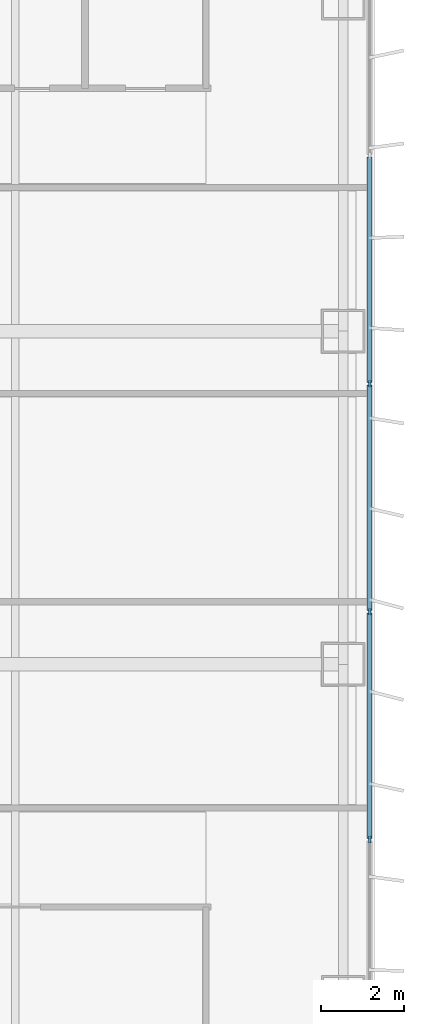
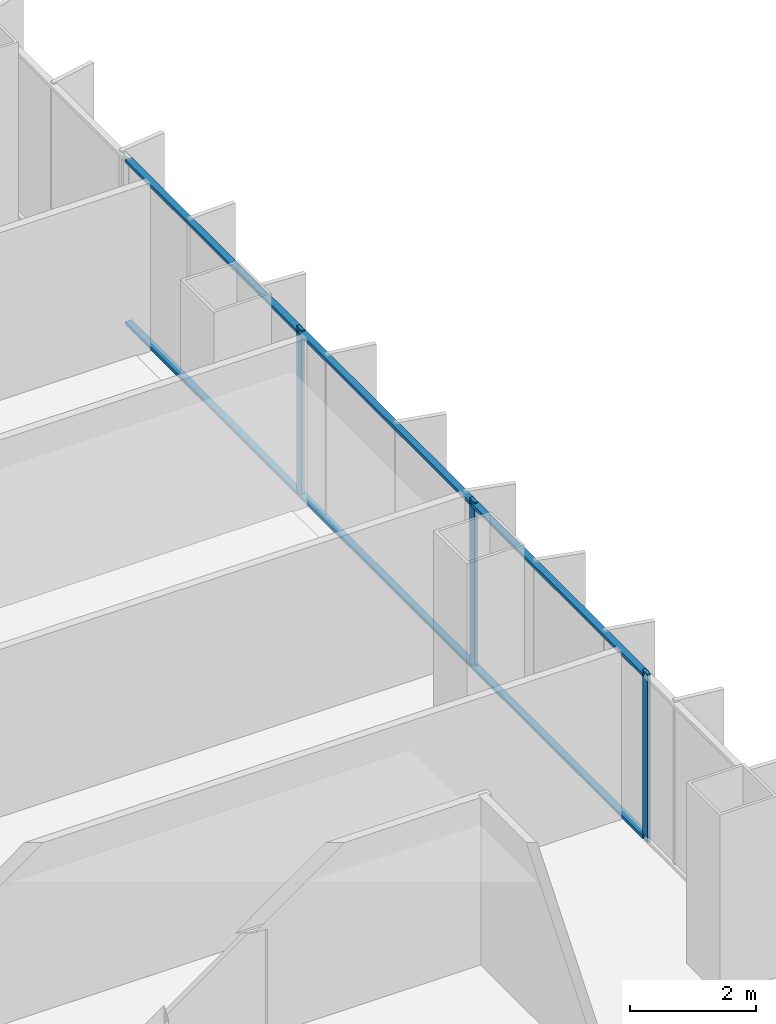
# One storey, part 8 of 21: 9 members, 1 element without a shape of its own.
"""IFC4 building model written with IfcOpenShell, lengths in metres."""

from ifc_helpers import new_model, si_unit, direction, frame, origin, origin_2d, place, context, subcontext, project, spatial, rectangle, extrude, material, layer, layer_set, material_profile, profile_set, type_object, element, aggregate, save


model = new_model("IFC4")

# Units and contexts
model_context = context("Model", 3, precision=1e-05, world=origin(), true_north=direction((0.0, 1.0)))
body_context = subcontext(model_context, "Body", "Model", "MODEL_VIEW")
ifc_project = project(units=[si_unit("LENGTHUNIT", "METRE"), si_unit("AREAUNIT", "SQUARE_METRE"), si_unit("VOLUMEUNIT", "CUBIC_METRE"), si_unit("PLANEANGLEUNIT", "RADIAN"), si_unit("MASSUNIT", "GRAM", prefix="KILO")], contexts=[model_context])

# Site, building, storey
site_placement = place(None, origin())
site = spatial("IfcSite", under=ifc_project, at=site_placement, CompositionType="ELEMENT")
building_placement = place(site_placement, origin())
building = spatial("IfcBuilding", under=site, at=building_placement, Name="Trevonay Congress Spire", CompositionType="ELEMENT")
storey_placement = place(building_placement, frame((0.0, 0.0, 37.5)))
storey = spatial("IfcBuildingStorey", under=building, at=storey_placement, Name="L08", CompositionType="ELEMENT", Elevation=37.5)

# Curtain wall, members
ifc_material = material(Name="Pale Anodised Aluminium EN AW-6063-T6", Category="aluminium")
ifc_layer = layer(ifc_material, 0.179931640625, Name="Pale Anodised Aluminium EN AW-6063-T6")
ifc_layer_set = layer_set([ifc_layer], Name="Pale Anodised Aluminium EN AW-6063-T6")
curtain_wall_type = type_object("IfcCurtainWallType", Name="CW-SYS02-HOTEL-PALE-METAL", PredefinedType="NOTDEFINED", material=ifc_layer_set)
curtain_wall_placement = place(storey_placement, origin())
curtain_wall = element("IfcCurtainWall", 1, at=curtain_wall_placement, inside=storey, type_object=curtain_wall_type, Name="L08 E unitised curtain wall", PredefinedType="NOTDEFINED")
ifc_material_profile_1 = material_profile(ifc_material, rectangle(XDim=0.06005859375, YDim=0.159912109375, at=origin_2d()), Name="CW-MULLION-160-ALUMINIUM")
ifc_profile_set_1 = profile_set([ifc_material_profile_1], Name="Pale Anodised Aluminium EN AW-6063-T6")
member_type_1 = type_object("IfcMemberType", Name="CW-MULLION-160-ALUMINIUM", PredefinedType="MULLION", material=ifc_profile_set_1)
member_1_placement = place(storey_placement, frame((23.8798828125, -8.20703125, 0.0), z_axis=(0.0, 0.0, 1.0), x_axis=(-1.0, 0.0, 0.0)))
member_1 = element("IfcMember", 2, at=member_1_placement, type_object=member_type_1, Name="CW02 mullion 3", PredefinedType="MULLION", context=body_context, shape_type="SweptSolid", body=[
    extrude(rectangle(XDim=0.06005859375, YDim=0.159912109375, at=origin_2d()), origin(), (0.0, 0.0, 1.0), 3.25),
])
member_2_placement = place(storey_placement, frame((23.8798828125, -2.735595703125, 0.0), z_axis=(0.0, 0.0, 1.0), x_axis=(-1.0, 0.0, 0.0)))
member_2 = element("IfcMember", 3, at=member_2_placement, type_object=member_type_1, Name="CW02 mullion 4", PredefinedType="MULLION", context=body_context, shape_type="SweptSolid", body=[
    extrude(rectangle(XDim=0.06005859375, YDim=0.159912109375, at=origin_2d()), origin(), (0.0, 0.0, 1.0), 3.25),
])
member_3_placement = place(storey_placement, frame((23.8798828125, 2.735595703125, 0.0), z_axis=(0.0, 0.0, 1.0), x_axis=(-1.0, 0.0, 0.0)))
member_3 = element("IfcMember", 4, at=member_3_placement, type_object=member_type_1, Name="CW02 mullion 5", PredefinedType="MULLION", context=body_context, shape_type="SweptSolid", body=[
    extrude(rectangle(XDim=0.06005859375, YDim=0.159912109375, at=origin_2d()), origin(), (0.0, 0.0, 1.0), 3.25),
])
ifc_material_profile_2 = material_profile(ifc_material, rectangle(XDim=0.1201171875, YDim=0.06005859375, at=origin_2d()), Name="CW-TRANSOM-120-ALUMINIUM")
ifc_profile_set_2 = profile_set([ifc_material_profile_2], Name="Pale Anodised Aluminium EN AW-6063-T6")
member_type_2 = type_object("IfcMemberType", Name="CW-TRANSOM-120-ALUMINIUM", PredefinedType="USERDEFINED", material=ifc_profile_set_2)
member_4_placement = place(storey_placement, frame((23.8798828125, -8.17724609375, 0.06005859375), z_axis=(0.0, 1.0, 0.0), x_axis=(-1.0, 0.0, 0.0)))
member_4 = element("IfcMember", 5, at=member_4_placement, type_object=member_type_2, Name="CW02 transom 3.1", ObjectType="TRANSOM", PredefinedType="USERDEFINED", context=body_context, shape_type="SweptSolid", body=[
    extrude(rectangle(XDim=0.1201171875, YDim=0.06005859375, at=origin_2d()), origin(), (0.0, 0.0, 1.0), 5.41162109375),
])
member_5_placement = place(storey_placement, frame((23.8798828125, -8.17724609375, 3.18994140625), z_axis=(0.0, 1.0, 0.0), x_axis=(-1.0, 0.0, 0.0)))
member_5 = element("IfcMember", 6, at=member_5_placement, type_object=member_type_2, Name="CW02 transom 3.2", ObjectType="TRANSOM", PredefinedType="USERDEFINED", context=body_context, shape_type="SweptSolid", body=[
    extrude(rectangle(XDim=0.1201171875, YDim=0.06005859375, at=origin_2d()), origin(), (0.0, 0.0, 1.0), 5.41162109375),
])
member_6_placement = place(storey_placement, frame((23.8798828125, -2.705810546875, 0.06005859375), z_axis=(0.0, 1.0, 0.0), x_axis=(-1.0, 0.0, 0.0)))
member_6 = element("IfcMember", 7, at=member_6_placement, type_object=member_type_2, Name="CW02 transom 4.1", ObjectType="TRANSOM", PredefinedType="USERDEFINED", context=body_context, shape_type="SweptSolid", body=[
    extrude(rectangle(XDim=0.1201171875, YDim=0.06005859375, at=origin_2d()), origin(), (0.0, 0.0, 1.0), 5.41162109375),
])
member_7_placement = place(storey_placement, frame((23.8798828125, -2.705810546875, 3.18994140625), z_axis=(0.0, 1.0, 0.0), x_axis=(-1.0, 0.0, 0.0)))
member_7 = element("IfcMember", 8, at=member_7_placement, type_object=member_type_2, Name="CW02 transom 4.2", ObjectType="TRANSOM", PredefinedType="USERDEFINED", context=body_context, shape_type="SweptSolid", body=[
    extrude(rectangle(XDim=0.1201171875, YDim=0.06005859375, at=origin_2d()), origin(), (0.0, 0.0, 1.0), 5.41162109375),
])
member_8_placement = place(storey_placement, frame((23.8798828125, 2.765625, 0.06005859375), z_axis=(0.0, 1.0, 0.0), x_axis=(-1.0, 0.0, 0.0)))
member_8 = element("IfcMember", 9, at=member_8_placement, type_object=member_type_2, Name="CW02 transom 5.1", ObjectType="TRANSOM", PredefinedType="USERDEFINED", context=body_context, shape_type="SweptSolid", body=[
    extrude(rectangle(XDim=0.1201171875, YDim=0.06005859375, at=origin_2d()), origin(), (0.0, 0.0, 1.0), 5.41162109375),
])
member_9_placement = place(storey_placement, frame((23.8798828125, 2.765625, 3.18994140625), z_axis=(0.0, 1.0, 0.0), x_axis=(-1.0, 0.0, 0.0)))
member_9 = element("IfcMember", 10, at=member_9_placement, type_object=member_type_2, Name="CW02 transom 5.2", ObjectType="TRANSOM", PredefinedType="USERDEFINED", context=body_context, shape_type="SweptSolid", body=[
    extrude(rectangle(XDim=0.1201171875, YDim=0.06005859375, at=origin_2d()), origin(), (0.0, 0.0, 1.0), 5.41162109375),
])
aggregate(curtain_wall, [member_1, member_2, member_3, member_4, member_5, member_6, member_7, member_8, member_9])

save(model, "model.ifc")
